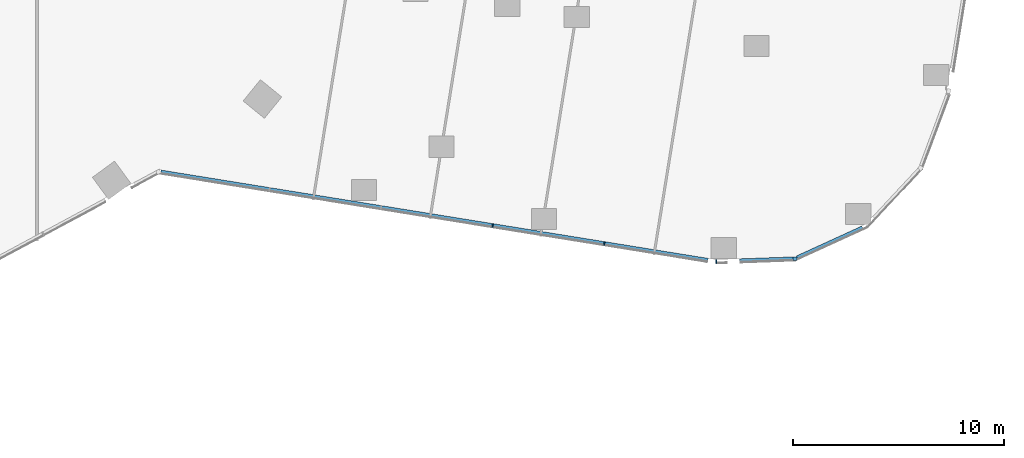
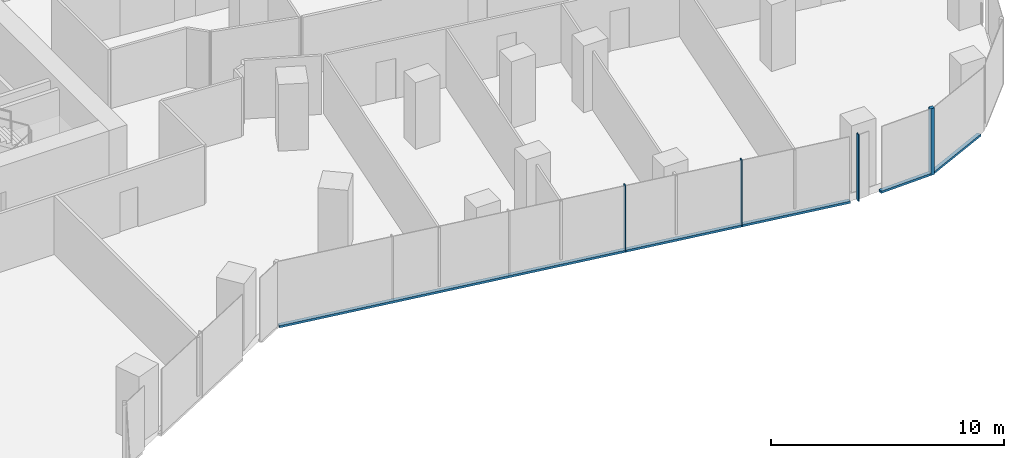
# One storey, part 9 of 34: 7 members, 3 elements without a shape of their own.
"""IFC4 building model written with IfcOpenShell, lengths in metres."""

import ifcopenshell
import ifcopenshell.guid

model = None  # the IFC model being written
_history = None  # IfcOwnerHistory: only IFC2X3 demands one
_inside = {}  # id of a spatial element -> (the spatial element, [elements in it])
_under = {}  # id of a project, library or spatial element -> (it, [spatial elements below it])
_declared = {}  # id of a project -> (the project, [libraries it declares])
_typed = {}  # id of a type object -> (the type object, [elements of that type])
_made_of = {}  # id of a material, layer set ... -> (it, [elements and type objects made of it])


def new_model(schema):
    """Start an empty IFC model of exactly this schema.

    Asked for "IFC4X3", IfcOpenShell would pick the latest addendum, in which some entities
    have other attributes; the version numbers below select the first issue.
    IFC2X3 requires an IfcOwnerHistory on every rooted entity: one is made here for all.
    """
    global model, _history
    if schema == "IFC4X3":
        model = ifcopenshell.file(schema_version=(4, 3, 0, 0))
    else:
        model = ifcopenshell.file(schema=schema)
    _inside.clear()
    _under.clear()
    _declared.clear()
    _typed.clear()
    _made_of.clear()
    _history = None
    if model.schema == "IFC2X3":
        org = make("IfcOrganization", Name="unknown")
        user = make(
            "IfcPersonAndOrganization",
            ThePerson=make("IfcPerson", FamilyName="unknown"),
            TheOrganization=org,
        )
        app = make(
            "IfcApplication",
            ApplicationDeveloper=org,
            Version="unknown",
            ApplicationFullName="unknown",
            ApplicationIdentifier="unknown",
        )
        _history = make(
            "IfcOwnerHistory",
            OwningUser=user,
            OwningApplication=app,
            ChangeAction="ADDED",
            CreationDate=0,
        )
    return model


def make(cls, **values):
    """One entity of the class cls with the attributes given. An attribute that is None is left unset."""
    return model.create_entity(
        cls, **{name: value for name, value in values.items() if value is not None}
    )


def rooted(cls, **values):
    """An entity with a GlobalId (a new one), such as an element, a storey or a relation."""
    return make(cls, GlobalId=ifcopenshell.guid.new(), OwnerHistory=_history, **values)


def si_unit(unit_type, name, prefix=None):
    """IfcSIUnit, for example si_unit("LENGTHUNIT", "METRE", prefix="MILLI")."""
    return make("IfcSIUnit", UnitType=unit_type, Prefix=prefix, Name=name)


def assignment(units):
    """IfcUnitAssignment: the units of a project."""
    return None if units is None else make("IfcUnitAssignment", Units=units)


def point(xyz):
    """IfcCartesianPoint."""
    return None if xyz is None else make("IfcCartesianPoint", Coordinates=xyz)


def direction(xyz):
    """IfcDirection."""
    return None if xyz is None else make("IfcDirection", DirectionRatios=xyz)


def frame(location, z_axis=None, x_axis=None):
    """IfcAxis2Placement3D, a coordinate frame: its origin and axes. An axis left out is left unset."""
    return make(
        "IfcAxis2Placement3D",
        Location=point(location),
        Axis=direction(z_axis),
        RefDirection=direction(x_axis),
    )


def frame_2d(location, x_axis=None):
    """IfcAxis2Placement2D, a coordinate frame in the plane: its origin and x axis."""
    return make(
        "IfcAxis2Placement2D", Location=point(location), RefDirection=direction(x_axis)
    )


def origin():
    """The frame at (0, 0, 0) with its axes left unset."""
    return frame((0.0, 0.0, 0.0))


def origin_2d():
    """The frame at (0, 0) in the plane with its x axis left unset."""
    return frame_2d((0.0, 0.0))


def place(relative_to, where):
    """IfcLocalPlacement: puts the frame where relative to a parent placement (None: the world)."""
    return make(
        "IfcLocalPlacement", PlacementRelTo=relative_to, RelativePlacement=where
    )


def context(
    kind, dimensions, precision=None, world=None, true_north=None, identifier=None
):
    """IfcGeometricRepresentationContext, for example the 3D "Model" context."""
    return make(
        "IfcGeometricRepresentationContext",
        ContextIdentifier=identifier,
        ContextType=kind,
        CoordinateSpaceDimension=dimensions,
        Precision=precision,
        WorldCoordinateSystem=world,
        TrueNorth=true_north,
    )


def subcontext(parent, identifier, kind, view, scale=None):
    """IfcGeometricRepresentationSubContext, for example "Body" below "Model"."""
    return make(
        "IfcGeometricRepresentationSubContext",
        ContextIdentifier=identifier,
        ContextType=kind,
        ParentContext=parent,
        TargetScale=scale,
        TargetView=view,
    )


def project(units=None, contexts=None):
    """IfcProject with its units and contexts."""
    return rooted(
        "IfcProject",
        Name="project",
        RepresentationContexts=contexts,
        UnitsInContext=assignment(units),
    )


def spatial(cls, under=None, at=None, **own):
    """A site, building, storey or space (cls), placed at a placement, below another one or the project."""
    s = rooted(cls, ObjectPlacement=at, **own)
    if under is not None:
        _under.setdefault(under.id(), (under, []))[1].append(s)
    return s


def profile(cls, at=None, kind="AREA", **sizes):
    """A parametric profile (cls). Its sizes go by their IFC names, for example OverallWidth=200.0."""
    return make(cls, ProfileType=kind, Position=at, **sizes)


def rectangle(**sizes):
    """IfcRectangleProfileDef."""
    return profile("IfcRectangleProfileDef", **sizes)


def extrude(swept, where, along, depth):
    """IfcExtrudedAreaSolid: the profile swept, set in the frame where, extruded along a direction by depth."""
    return make(
        "IfcExtrudedAreaSolid",
        SweptArea=swept,
        Position=where,
        ExtrudedDirection=direction(along),
        Depth=depth,
    )


def shape(context_of_items, identifier, shape_type, items):
    """IfcShapeRepresentation: the items that make up one representation, for example the "Body"."""
    return make(
        "IfcShapeRepresentation",
        ContextOfItems=context_of_items,
        RepresentationIdentifier=identifier,
        RepresentationType=shape_type,
        Items=items,
    )


def material(Name=None, Category=None):
    """IfcMaterial."""
    return make("IfcMaterial", Name=Name, Category=Category)


def material_profile(
    of_material, cross_section, Name=None, Category=None, Priority=None
):
    """IfcMaterialProfile: a cross section and its material."""
    return make(
        "IfcMaterialProfile",
        Name=Name,
        Material=of_material,
        Profile=cross_section,
        Priority=Priority,
        Category=Category,
    )


def profile_set(profiles, Name=None, composite=None):
    """IfcMaterialProfileSet."""
    return make(
        "IfcMaterialProfileSet",
        Name=Name,
        MaterialProfiles=profiles,
        CompositeProfile=composite,
    )


def made_of(thing, what):
    """Note that an element or type object is made of a material, layer set ...; save() writes the relation."""
    if what is not None:
        _made_of.setdefault(what.id(), (what, []))[1].append(thing)
    return thing


def type_object(cls, material=None, **own):
    """A type object (cls), such as IfcWallType, which elements share."""
    return made_of(rooted(cls, **own), material)


def element(
    cls,
    number,
    at=None,
    inside=None,
    cuts=None,
    type_object=None,
    material=None,
    context=None,
    identifier="Body",
    shape_type=None,
    held_by="IfcProductDefinitionShape",
    body=None,
    shapes=None,
    **own,
):
    """One element of the class cls, such as IfcWall. Its Tag is "e" and its number.

    at: its placement. inside: the storey or other place that contains it. cuts: it is an
    opening in that element (IfcRelVoidsElement). A single representation is given by context,
    identifier, shape_type and body (its items); several are given by shapes. held_by: the class
    of the entity that holds the representations. save() writes the other relations.
    """
    e = rooted(cls, Tag="e%d" % number, ObjectPlacement=at, **own)
    if body is not None:
        shapes = [shape(context, identifier, shape_type, body)]
    if shapes is not None:
        e.Representation = make(held_by, Representations=shapes)
    if inside is not None:
        _inside.setdefault(inside.id(), (inside, []))[1].append(e)
    if cuts is not None:
        rooted(
            "IfcRelVoidsElement", RelatingBuildingElement=cuts, RelatedOpeningElement=e
        )
    if type_object is not None:
        _typed.setdefault(type_object.id(), (type_object, []))[1].append(e)
    return made_of(e, material)


def aggregate(whole, parts):
    """IfcRelAggregates: a whole, such as a stair, and the parts it consists of."""
    return rooted("IfcRelAggregates", RelatingObject=whole, RelatedObjects=parts)


def save(model, path):
    """Write the relations noted so far, then the file.

    IfcRelAggregates (storeys below a building ...), IfcRelContainedInSpatialStructure (elements
    in a storey), IfcRelDefinesByType, IfcRelAssociatesMaterial and IfcRelDeclares: one each for
    every whole, place, type object, material and project.
    """
    for whole, parts in _under.values():
        aggregate(whole, parts)
    for where, things in _inside.values():
        rooted(
            "IfcRelContainedInSpatialStructure",
            RelatedElements=things,
            RelatingStructure=where,
        )
    for kind, things in _typed.values():
        rooted("IfcRelDefinesByType", RelatedObjects=things, RelatingType=kind)
    for what, things in _made_of.values():
        rooted("IfcRelAssociatesMaterial", RelatedObjects=things, RelatingMaterial=what)
    for by, libraries in _declared.values():
        rooted("IfcRelDeclares", RelatingContext=by, RelatedDefinitions=libraries)
    model.write(path)


model = new_model("IFC4")

# Units and contexts
model_context = context("Model", 3, precision=1e-05, world=origin(), true_north=direction((0.0, 1.0)))
body_context = subcontext(model_context, "Body", "Model", "MODEL_VIEW")
ifc_project = project(units=[si_unit("LENGTHUNIT", "METRE"), si_unit("AREAUNIT", "SQUARE_METRE"), si_unit("VOLUMEUNIT", "CUBIC_METRE"), si_unit("PLANEANGLEUNIT", "RADIAN"), si_unit("MASSUNIT", "GRAM", prefix="KILO")], contexts=[model_context])

# Site, building, storey
site_placement = place(None, origin())
site = spatial("IfcSite", under=ifc_project, at=site_placement, CompositionType="ELEMENT")
building_placement = place(site_placement, origin())
building = spatial("IfcBuilding", under=site, at=building_placement, Name="Orlundy Tower", CompositionType="ELEMENT")
storey_placement = place(building_placement, frame((0.0, 0.0, 127.199951171875)))
storey = spatial("IfcBuildingStorey", under=building, at=storey_placement, Name="L32", CompositionType="ELEMENT", Elevation=127.199951171875)

# Curtain wall, member
ifc_material_1 = material(Name="Aluminium bronze anodised", Category="aluminium")
curtain_wall_type = type_object("IfcCurtainWallType", Name="CW1 wall", PredefinedType="NOTDEFINED", material=ifc_material_1)
curtain_wall_1_placement = place(storey_placement, origin())
curtain_wall_1 = element("IfcCurtainWall", 1, at=curtain_wall_1_placement, inside=storey, type_object=curtain_wall_type, Name="CW1 run 015", PredefinedType="NOTDEFINED")
ifc_material_2 = material(Name="Aluminium bronze anodised", Category="aluminium")
ifc_material_profile_1 = material_profile(ifc_material_2, rectangle(XDim=0.179931640625, YDim=0.179931640625, at=origin_2d()), Name="CW1 corner post 180x180")
ifc_profile_set_1 = profile_set([ifc_material_profile_1], Name="Aluminium bronze anodised")
member_type_1 = type_object("IfcMemberType", Name="CW1 corner post 180x180", PredefinedType="MULLION", material=ifc_profile_set_1)
member_1_placement = place(storey_placement, frame((49.901123046875, -27.664306640625, -0.39990234375), z_axis=(0.0, 0.0, 1.0), x_axis=(0.036413082656, -0.999336823804, 0.0)))
member_1 = element("IfcMember", 2, at=member_1_placement, type_object=member_type_1, Name="CW1 mullion 43", PredefinedType="MULLION", context=body_context, shape_type="SweptSolid", body=[
    extrude(rectangle(XDim=0.179931640625, YDim=0.179931640625, at=origin_2d()), origin(), (0.0, 0.0, 1.0), 3.5),
])

# Curtain wall, members
curtain_wall_2_placement = place(storey_placement, origin())
curtain_wall_2 = element("IfcCurtainWall", 3, at=curtain_wall_2_placement, inside=storey, type_object=curtain_wall_type, Name="CW1 run 016", PredefinedType="NOTDEFINED")
ifc_material_3 = material(Name="Aluminium bronze anodised", Category="aluminium")
ifc_material_profile_2 = material_profile(ifc_material_3, rectangle(XDim=0.179931640625, YDim=0.050048828125, at=origin_2d()), Name="CW1 mullion 50x180")
ifc_profile_set_2 = profile_set([ifc_material_profile_2], Name="Aluminium bronze anodised")
member_type_2 = type_object("IfcMemberType", Name="CW1 mullion 50x180", PredefinedType="MULLION", material=ifc_profile_set_2)
member_2_placement = place(storey_placement, frame((46.16943359375, -27.80029296875, -0.39990234375), z_axis=(0.0, 0.0, 1.0), x_axis=(-0.061746522644, -0.998091862977, 0.0)))
member_2 = element("IfcMember", 4, at=member_2_placement, type_object=member_type_2, Name="CW1 mullion 44", PredefinedType="MULLION", context=body_context, shape_type="SweptSolid", body=[
    extrude(rectangle(XDim=0.179931640625, YDim=0.050048828125, at=origin_2d()), origin(), (0.0, 0.0, 1.0), 3.5),
])
member_3_placement = place(storey_placement, frame((40.872314453125, -26.945556640625, -0.39990234375), z_axis=(0.0, 0.0, 1.0), x_axis=(-0.159311085453, -0.987228432558, 0.0)))
member_3 = element("IfcMember", 5, at=member_3_placement, type_object=member_type_2, Name="CW1 mullion 45", PredefinedType="MULLION", context=body_context, shape_type="SweptSolid", body=[
    extrude(rectangle(XDim=0.179931640625, YDim=0.050048828125, at=origin_2d()), origin(), (0.0, 0.0, 1.0), 3.5),
])
member_4_placement = place(storey_placement, frame((35.583740234375, -26.092041015625, -0.39990234375), z_axis=(0.0, 0.0, 1.0), x_axis=(-0.159311085453, -0.987228432558, 0.0)))
member_4 = element("IfcMember", 6, at=member_4_placement, type_object=member_type_2, Name="CW1 mullion 46", PredefinedType="MULLION", context=body_context, shape_type="SweptSolid", body=[
    extrude(rectangle(XDim=0.179931640625, YDim=0.050048828125, at=origin_2d()), origin(), (0.0, 0.0, 1.0), 3.5),
])

# Curtain wall, member
curtain_wall_3_placement = place(storey_placement, origin())
curtain_wall_3 = element("IfcCurtainWall", 7, at=curtain_wall_3_placement, inside=storey, type_object=curtain_wall_type, Name="CW1 run 014", PredefinedType="NOTDEFINED")
ifc_material_4 = material(Name="Aluminium bronze anodised", Category="aluminium")
ifc_material_profile_3 = material_profile(ifc_material_4, rectangle(XDim=0.179931640625, YDim=0.1201171875, at=origin_2d()), Name="CW1 transom 180x120")
ifc_profile_set_3 = profile_set([ifc_material_profile_3], Name="Aluminium bronze anodised")
member_type_3 = type_object("IfcMemberType", Name="CW1 transom 180x120", PredefinedType="USERDEFINED", material=ifc_profile_set_3)
member_5_placement = place(storey_placement, frame((53.10791015625, -26.197021484375, -0.33984375), z_axis=(-0.909329814914, -0.416076060003, 0.0), x_axis=(0.416076060003, -0.909329814914, 0.0)))
member_5 = element("IfcMember", 8, at=member_5_placement, type_object=member_type_3, Name="CW1 transom", ObjectType="TRANSOM", PredefinedType="USERDEFINED", context=body_context, shape_type="SweptSolid", body=[
    extrude(rectangle(XDim=0.179931640625, YDim=0.1201171875, at=origin_2d()), origin(), (0.0, 0.0, 1.0), 3.42919921875),
])
aggregate(curtain_wall_3, [member_5])

# Member
member_6_placement = place(storey_placement, frame((49.811279296875, -27.66748046875, -0.33984375), z_axis=(-0.999337008749, -0.0364080066, 0.0), x_axis=(0.0364080066, -0.999337008749, 0.0)))
member_6 = element("IfcMember", 9, at=member_6_placement, type_object=member_type_3, Name="CW1 transom", ObjectType="TRANSOM", PredefinedType="USERDEFINED", context=body_context, shape_type="SweptSolid", body=[
    extrude(rectangle(XDim=0.179931640625, YDim=0.1201171875, at=origin_2d()), origin(), (0.0, 0.0, 1.0), 2.528076171875),
])

aggregate(curtain_wall_1, [member_1, member_6])

member_7_placement = place(storey_placement, frame((45.784912109375, -27.73828125, -0.33984375), z_axis=(-0.987227397491, 0.159317499491, 0.0), x_axis=(-0.159317499491, -0.987227397491, 0.0)))
member_7 = element("IfcMember", 10, at=member_7_placement, type_object=member_type_3, Name="CW1 transom", ObjectType="TRANSOM", PredefinedType="USERDEFINED", context=body_context, shape_type="SweptSolid", body=[
    extrude(rectangle(XDim=0.179931640625, YDim=0.1201171875, at=origin_2d()), origin(), (0.0, 0.0, 1.0), 26.259521484375),
])

aggregate(curtain_wall_2, [member_2, member_3, member_4, member_7])

save(model, "model.ifc")
